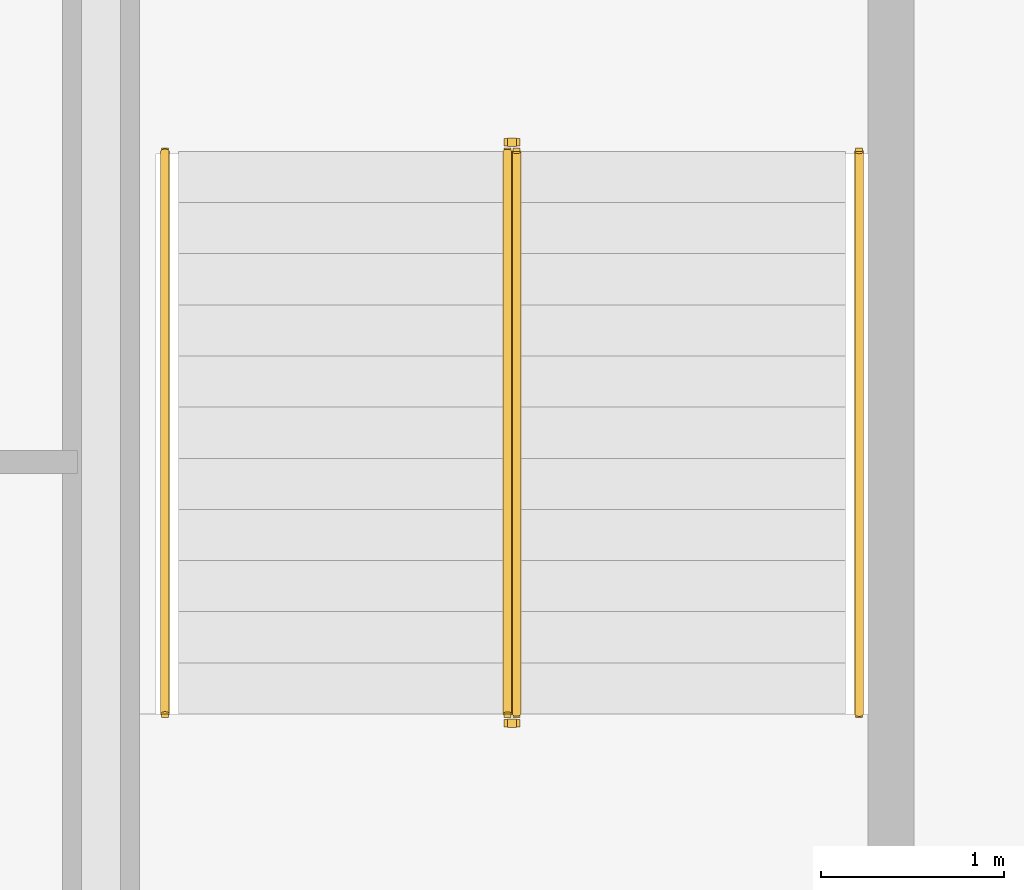
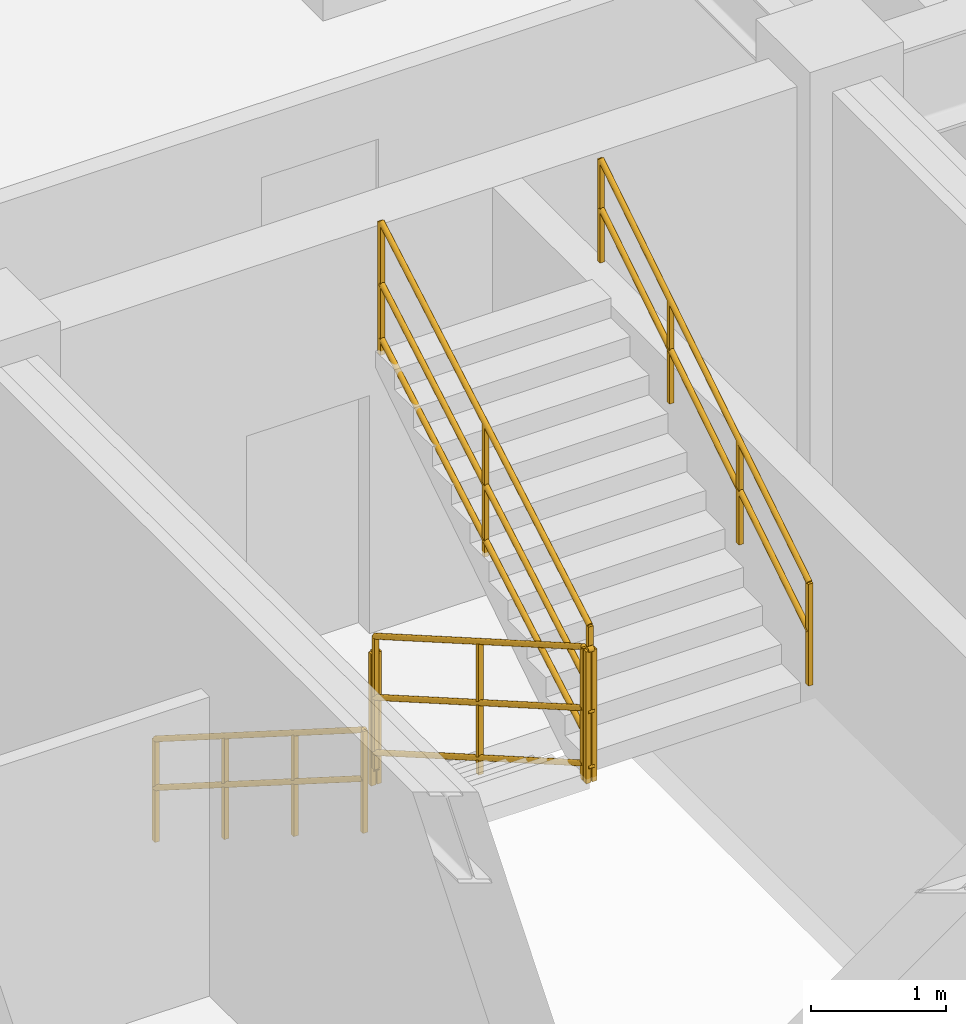
# One storey, part 9 of 9: 6 railings.
"""IFC4 building model written with IfcOpenShell, lengths in metres."""

import ifcopenshell
import ifcopenshell.guid

model = None  # the IFC model being written
_history = None  # IfcOwnerHistory: only IFC2X3 demands one
_inside = {}  # id of a spatial element -> (the spatial element, [elements in it])
_under = {}  # id of a project, library or spatial element -> (it, [spatial elements below it])
_declared = {}  # id of a project -> (the project, [libraries it declares])
_typed = {}  # id of a type object -> (the type object, [elements of that type])
_made_of = {}  # id of a material, layer set ... -> (it, [elements and type objects made of it])


def new_model(schema):
    """Start an empty IFC model of exactly this schema.

    Asked for "IFC4X3", IfcOpenShell would pick the latest addendum, in which some entities
    have other attributes; the version numbers below select the first issue.
    IFC2X3 requires an IfcOwnerHistory on every rooted entity: one is made here for all.
    """
    global model, _history
    if schema == "IFC4X3":
        model = ifcopenshell.file(schema_version=(4, 3, 0, 0))
    else:
        model = ifcopenshell.file(schema=schema)
    _inside.clear()
    _under.clear()
    _declared.clear()
    _typed.clear()
    _made_of.clear()
    _history = None
    if model.schema == "IFC2X3":
        org = make("IfcOrganization", Name="unknown")
        user = make(
            "IfcPersonAndOrganization",
            ThePerson=make("IfcPerson", FamilyName="unknown"),
            TheOrganization=org,
        )
        app = make(
            "IfcApplication",
            ApplicationDeveloper=org,
            Version="unknown",
            ApplicationFullName="unknown",
            ApplicationIdentifier="unknown",
        )
        _history = make(
            "IfcOwnerHistory",
            OwningUser=user,
            OwningApplication=app,
            ChangeAction="ADDED",
            CreationDate=0,
        )
    return model


def make(cls, **values):
    """One entity of the class cls with the attributes given. An attribute that is None is left unset."""
    return model.create_entity(
        cls, **{name: value for name, value in values.items() if value is not None}
    )


def entity(cls, *values):
    """Any entity or typed value of the class cls, its attributes in the order of the schema. None: left unset."""
    e = model.create_entity(cls)
    for i, value in enumerate(values):
        if value is not None:
            e[i] = value
    return e


def rooted(cls, **values):
    """An entity with a GlobalId (a new one), such as an element, a storey or a relation."""
    return make(cls, GlobalId=ifcopenshell.guid.new(), OwnerHistory=_history, **values)


def si_unit(unit_type, name, prefix=None):
    """IfcSIUnit, for example si_unit("LENGTHUNIT", "METRE", prefix="MILLI")."""
    return make("IfcSIUnit", UnitType=unit_type, Prefix=prefix, Name=name)


def converted_unit(unit_type, name, factor, base, dimensions=None, offset=None):
    """IfcConversionBasedUnit, such as the inch: factor (a typed value) times the base unit."""
    return make(
        "IfcConversionBasedUnit"
        if offset is None
        else "IfcConversionBasedUnitWithOffset",
        ConversionOffset=offset,
        Dimensions=None
        if dimensions is None
        else entity("IfcDimensionalExponents", *dimensions),
        UnitType=unit_type,
        Name=name,
        ConversionFactor=make(
            "IfcMeasureWithUnit", ValueComponent=factor, UnitComponent=base
        ),
    )


def assignment(units):
    """IfcUnitAssignment: the units of a project."""
    return None if units is None else make("IfcUnitAssignment", Units=units)


def point(xyz):
    """IfcCartesianPoint."""
    return None if xyz is None else make("IfcCartesianPoint", Coordinates=xyz)


def direction(xyz):
    """IfcDirection."""
    return None if xyz is None else make("IfcDirection", DirectionRatios=xyz)


def frame(location, z_axis=None, x_axis=None):
    """IfcAxis2Placement3D, a coordinate frame: its origin and axes. An axis left out is left unset."""
    return make(
        "IfcAxis2Placement3D",
        Location=point(location),
        Axis=direction(z_axis),
        RefDirection=direction(x_axis),
    )


def frame_2d(location, x_axis=None):
    """IfcAxis2Placement2D, a coordinate frame in the plane: its origin and x axis."""
    return make(
        "IfcAxis2Placement2D", Location=point(location), RefDirection=direction(x_axis)
    )


def origin_with_axes():
    """The frame at (0, 0, 0) with the z axis (0, 0, 1) and the x axis (1, 0, 0) written out."""
    return frame((0.0, 0.0, 0.0), z_axis=(0.0, 0.0, 1.0), x_axis=(1.0, 0.0, 0.0))


def origin_2d_with_axis():
    """The frame at (0, 0) in the plane with the x axis (1, 0) written out."""
    return frame_2d((0.0, 0.0), x_axis=(1.0, 0.0))


def place(relative_to, where):
    """IfcLocalPlacement: puts the frame where relative to a parent placement (None: the world)."""
    return make(
        "IfcLocalPlacement", PlacementRelTo=relative_to, RelativePlacement=where
    )


def context(
    kind, dimensions, precision=None, world=None, true_north=None, identifier=None
):
    """IfcGeometricRepresentationContext, for example the 3D "Model" context."""
    return make(
        "IfcGeometricRepresentationContext",
        ContextIdentifier=identifier,
        ContextType=kind,
        CoordinateSpaceDimension=dimensions,
        Precision=precision,
        WorldCoordinateSystem=world,
        TrueNorth=true_north,
    )


def subcontext(parent, identifier, kind, view, scale=None):
    """IfcGeometricRepresentationSubContext, for example "Body" below "Model"."""
    return make(
        "IfcGeometricRepresentationSubContext",
        ContextIdentifier=identifier,
        ContextType=kind,
        ParentContext=parent,
        TargetScale=scale,
        TargetView=view,
    )


def project(units=None, contexts=None):
    """IfcProject with its units and contexts."""
    return rooted(
        "IfcProject",
        Name="project",
        RepresentationContexts=contexts,
        UnitsInContext=assignment(units),
    )


def spatial(cls, under=None, at=None, **own):
    """A site, building, storey or space (cls), placed at a placement, below another one or the project."""
    s = rooted(cls, ObjectPlacement=at, **own)
    if under is not None:
        _under.setdefault(under.id(), (under, []))[1].append(s)
    return s


def profile(cls, at=None, kind="AREA", **sizes):
    """A parametric profile (cls). Its sizes go by their IFC names, for example OverallWidth=200.0."""
    return make(cls, ProfileType=kind, Position=at, **sizes)


def rectangle(**sizes):
    """IfcRectangleProfileDef."""
    return profile("IfcRectangleProfileDef", **sizes)


def circle(**sizes):
    """IfcCircleProfileDef."""
    return profile("IfcCircleProfileDef", **sizes)


def extrude(swept, where, along, depth):
    """IfcExtrudedAreaSolid: the profile swept, set in the frame where, extruded along a direction by depth."""
    return make(
        "IfcExtrudedAreaSolid",
        SweptArea=swept,
        Position=where,
        ExtrudedDirection=direction(along),
        Depth=depth,
    )


def shape(context_of_items, identifier, shape_type, items):
    """IfcShapeRepresentation: the items that make up one representation, for example the "Body"."""
    return make(
        "IfcShapeRepresentation",
        ContextOfItems=context_of_items,
        RepresentationIdentifier=identifier,
        RepresentationType=shape_type,
        Items=items,
    )


def material(Name=None, Category=None):
    """IfcMaterial."""
    return make("IfcMaterial", Name=Name, Category=Category)


def made_of(thing, what):
    """Note that an element or type object is made of a material, layer set ...; save() writes the relation."""
    if what is not None:
        _made_of.setdefault(what.id(), (what, []))[1].append(thing)
    return thing


def type_object(cls, material=None, **own):
    """A type object (cls), such as IfcWallType, which elements share."""
    return made_of(rooted(cls, **own), material)


def element(
    cls,
    number,
    at=None,
    inside=None,
    cuts=None,
    type_object=None,
    material=None,
    context=None,
    identifier="Body",
    shape_type=None,
    held_by="IfcProductDefinitionShape",
    body=None,
    shapes=None,
    **own,
):
    """One element of the class cls, such as IfcWall. Its Tag is "e" and its number.

    at: its placement. inside: the storey or other place that contains it. cuts: it is an
    opening in that element (IfcRelVoidsElement). A single representation is given by context,
    identifier, shape_type and body (its items); several are given by shapes. held_by: the class
    of the entity that holds the representations. save() writes the other relations.
    """
    e = rooted(cls, Tag="e%d" % number, ObjectPlacement=at, **own)
    if body is not None:
        shapes = [shape(context, identifier, shape_type, body)]
    if shapes is not None:
        e.Representation = make(held_by, Representations=shapes)
    if inside is not None:
        _inside.setdefault(inside.id(), (inside, []))[1].append(e)
    if cuts is not None:
        rooted(
            "IfcRelVoidsElement", RelatingBuildingElement=cuts, RelatedOpeningElement=e
        )
    if type_object is not None:
        _typed.setdefault(type_object.id(), (type_object, []))[1].append(e)
    return made_of(e, material)


def aggregate(whole, parts):
    """IfcRelAggregates: a whole, such as a stair, and the parts it consists of."""
    return rooted("IfcRelAggregates", RelatingObject=whole, RelatedObjects=parts)


def save(model, path):
    """Write the relations noted so far, then the file.

    IfcRelAggregates (storeys below a building ...), IfcRelContainedInSpatialStructure (elements
    in a storey), IfcRelDefinesByType, IfcRelAssociatesMaterial and IfcRelDeclares: one each for
    every whole, place, type object, material and project.
    """
    for whole, parts in _under.values():
        aggregate(whole, parts)
    for where, things in _inside.values():
        rooted(
            "IfcRelContainedInSpatialStructure",
            RelatedElements=things,
            RelatingStructure=where,
        )
    for kind, things in _typed.values():
        rooted("IfcRelDefinesByType", RelatedObjects=things, RelatingType=kind)
    for what, things in _made_of.values():
        rooted("IfcRelAssociatesMaterial", RelatedObjects=things, RelatingMaterial=what)
    for by, libraries in _declared.values():
        rooted("IfcRelDeclares", RelatingContext=by, RelatedDefinitions=libraries)
    model.write(path)


model = new_model("IFC4")

# Units and contexts
model_context = context("Model", 3, precision=1e-05, world=origin_with_axes(), true_north=direction((0.0, 1.0)))
body_context = subcontext(model_context, "Body", "Model", "MODEL_VIEW")
ifc_project = project(units=[si_unit("LENGTHUNIT", "METRE"), si_unit("AREAUNIT", "SQUARE_METRE"), si_unit("VOLUMEUNIT", "CUBIC_METRE"), converted_unit("PLANEANGLEUNIT", "DEGREE", entity("IfcPlaneAngleMeasure", 0.017453292519943295), si_unit("PLANEANGLEUNIT", "RADIAN"), dimensions=[0, 0, 0, 0, 0, 0, 0]), si_unit("MASSUNIT", "GRAM", prefix="KILO"), si_unit("THERMODYNAMICTEMPERATUREUNIT", "KELVIN")], contexts=[model_context])

# Site, building, storey
site_placement = place(None, origin_with_axes())
site = spatial("IfcSite", under=ifc_project, at=site_placement, CompositionType="ELEMENT")
building_placement = place(site_placement, origin_with_axes())
building = spatial("IfcBuilding", under=site, at=building_placement, Name="Varnlund Millrace Tower", CompositionType="ELEMENT")
storey_placement = place(building_placement, frame((0.0, 0.0, 260.7), z_axis=(0.0, 0.0, 1.0), x_axis=(1.0, 0.0, 0.0)))
storey = spatial("IfcBuildingStorey", under=building, at=storey_placement, Name="L64", CompositionType="ELEMENT", Elevation=260.7)

# Railings
ifc_material_1 = material(Name="Painted steel stair well balustrade guard", Category="steel")
railing_type_1 = type_object("IfcRailingType", Name="Type-StairGuard-1150", PredefinedType="GUARDRAIL", material=ifc_material_1)
railing_1_placement = place(storey_placement, frame((0.0, 0.0, -260.7), z_axis=(0.0, 0.0, 1.0), x_axis=(1.0, 0.0, 0.0)))
element("IfcRailing", 1, at=railing_1_placement, inside=storey, type_object=railing_type_1, Name="Type-StairGuard-1150", PredefinedType="GUARDRAIL", context=body_context, shape_type="SweptSolid", body=[
    extrude(circle(Radius=0.024, at=origin_2d_with_axis()), frame((13.625, 35.9, 262.027273), z_axis=(0.0, -0.866696, 0.498836), x_axis=(1.0, 0.0, 0.0)), (0.0, 0.0, 1.0), 3.553725),
    extrude(circle(Radius=0.024, at=origin_2d_with_axis()), frame((13.625, 35.9, 260.977273), z_axis=(0.0, -0.866696, 0.498836), x_axis=(1.0, 0.0, 0.0)), (0.0, 0.0, 1.0), 3.553725),
    extrude(circle(Radius=0.024, at=origin_2d_with_axis()), frame((13.625, 35.9, 261.475273), z_axis=(0.0, -0.866696, 0.498836), x_axis=(1.0, 0.0, 0.0)), (0.0, 0.0, 1.0), 3.553725),
    extrude(rectangle(XDim=0.04, YDim=0.04, at=origin_2d_with_axis()), frame((13.625, 35.9, 260.837273), z_axis=(0.0, 0.0, 1.0), x_axis=(1.0, 0.0, 0.0)), (0.0, 0.0, 1.0), 1.19),
    extrude(rectangle(XDim=0.04, YDim=0.04, at=origin_2d_with_axis()), frame((13.625, 34.36, 261.723636), z_axis=(0.0, 0.0, 1.0), x_axis=(1.0, 0.0, 0.0)), (0.0, 0.0, 1.0), 1.19),
    extrude(rectangle(XDim=0.04, YDim=0.04, at=origin_2d_with_axis()), frame((13.625, 32.82, 262.61), z_axis=(0.0, 0.0, 1.0), x_axis=(1.0, 0.0, 0.0)), (0.0, 0.0, 1.0), 1.19),
])
railing_2_placement = place(storey_placement, frame((0.0, 0.0, -260.7), z_axis=(0.0, 0.0, 1.0), x_axis=(1.0, 0.0, 0.0)))
element("IfcRailing", 2, at=railing_2_placement, inside=storey, type_object=railing_type_1, Name="Type-StairGuard-1150", PredefinedType="GUARDRAIL", context=body_context, shape_type="SweptSolid", body=[
    extrude(circle(Radius=0.024, at=origin_2d_with_axis()), frame((13.675, 32.77, 263.8), z_axis=(-1.0, 0.0, 0.0), x_axis=(0.0, -1.0, 0.0)), (0.0, 0.0, 1.0), 0.05),
    extrude(circle(Radius=0.024, at=origin_2d_with_axis()), frame((13.675, 32.77, 262.75), z_axis=(-1.0, 0.0, 0.0), x_axis=(0.0, -1.0, 0.0)), (0.0, 0.0, 1.0), 0.05),
    extrude(circle(Radius=0.024, at=origin_2d_with_axis()), frame((13.675, 32.77, 263.248), z_axis=(-1.0, 0.0, 0.0), x_axis=(0.0, -1.0, 0.0)), (0.0, 0.0, 1.0), 0.05),
    extrude(rectangle(XDim=0.04, YDim=0.04, at=origin_2d_with_axis()), frame((13.675, 32.77, 262.61), z_axis=(0.0, 0.0, 1.0), x_axis=(1.0, 0.0, 0.0)), (0.0, 0.0, 1.0), 1.19),
    extrude(rectangle(XDim=0.04, YDim=0.04, at=origin_2d_with_axis()), frame((13.625, 32.77, 262.61), z_axis=(0.0, 0.0, 1.0), x_axis=(1.0, 0.0, 0.0)), (0.0, 0.0, 1.0), 1.19),
])
railing_3_placement = place(storey_placement, frame((0.0, 0.0, -260.7), z_axis=(0.0, 0.0, 1.0), x_axis=(1.0, 0.0, 0.0)))
element("IfcRailing", 3, at=railing_3_placement, inside=storey, type_object=railing_type_1, Name="Type-StairGuard-1150", PredefinedType="GUARDRAIL", context=body_context, shape_type="SweptSolid", body=[
    extrude(circle(Radius=0.024, at=origin_2d_with_axis()), frame((13.675, 32.82, 263.977273), z_axis=(0.0, 0.866696, 0.498836), x_axis=(-1.0, 0.0, 0.0)), (0.0, 0.0, 1.0), 3.553725),
    extrude(circle(Radius=0.024, at=origin_2d_with_axis()), frame((13.675, 32.82, 262.927273), z_axis=(0.0, 0.866696, 0.498836), x_axis=(-1.0, 0.0, 0.0)), (0.0, 0.0, 1.0), 3.553725),
    extrude(circle(Radius=0.024, at=origin_2d_with_axis()), frame((13.675, 32.82, 263.425273), z_axis=(0.0, 0.866696, 0.498836), x_axis=(-1.0, 0.0, 0.0)), (0.0, 0.0, 1.0), 3.553725),
    extrude(rectangle(XDim=0.04, YDim=0.04, at=origin_2d_with_axis()), frame((13.675, 32.82, 262.787273), z_axis=(0.0, 0.0, 1.0), x_axis=(1.0, 0.0, 0.0)), (0.0, 0.0, 1.0), 1.19),
    extrude(rectangle(XDim=0.04, YDim=0.04, at=origin_2d_with_axis()), frame((13.675, 34.36, 263.673636), z_axis=(0.0, 0.0, 1.0), x_axis=(1.0, 0.0, 0.0)), (0.0, 0.0, 1.0), 1.19),
    extrude(rectangle(XDim=0.04, YDim=0.04, at=origin_2d_with_axis()), frame((13.675, 35.9, 264.56), z_axis=(0.0, 0.0, 1.0), x_axis=(1.0, 0.0, 0.0)), (0.0, 0.0, 1.0), 1.19),
])
railing_4_placement = place(storey_placement, frame((0.0, 0.0, -260.7), z_axis=(0.0, 0.0, 1.0), x_axis=(1.0, 0.0, 0.0)))
element("IfcRailing", 4, at=railing_4_placement, inside=storey, type_object=railing_type_1, Name="Type-StairGuard-1150", PredefinedType="GUARDRAIL", context=body_context, shape_type="SweptSolid", body=[
    extrude(circle(Radius=0.024, at=origin_2d_with_axis()), frame((13.675, 35.95, 261.85), z_axis=(-1.0, 0.0, 0.0), x_axis=(0.0, -1.0, 0.0)), (0.0, 0.0, 1.0), 0.05),
    extrude(circle(Radius=0.024, at=origin_2d_with_axis()), frame((13.675, 35.95, 260.8), z_axis=(-1.0, 0.0, 0.0), x_axis=(0.0, -1.0, 0.0)), (0.0, 0.0, 1.0), 0.05),
    extrude(circle(Radius=0.024, at=origin_2d_with_axis()), frame((13.675, 35.95, 261.298), z_axis=(-1.0, 0.0, 0.0), x_axis=(0.0, -1.0, 0.0)), (0.0, 0.0, 1.0), 0.05),
    extrude(rectangle(XDim=0.04, YDim=0.04, at=origin_2d_with_axis()), frame((13.675, 35.95, 260.66), z_axis=(0.0, 0.0, 1.0), x_axis=(1.0, 0.0, 0.0)), (0.0, 0.0, 1.0), 1.19),
    extrude(rectangle(XDim=0.04, YDim=0.04, at=origin_2d_with_axis()), frame((13.625, 35.95, 260.66), z_axis=(0.0, 0.0, 1.0), x_axis=(1.0, 0.0, 0.0)), (0.0, 0.0, 1.0), 1.19),
])
ifc_material_2 = material(Name="Brushed architectural bronze stair handrail", Category="aluminium")
railing_type_2 = type_object("IfcRailingType", Name="Type-StairHandrail-900", PredefinedType="HANDRAIL", material=ifc_material_2)
railing_5_placement = place(storey_placement, frame((0.0, 0.0, -260.7), z_axis=(0.0, 0.0, 1.0), x_axis=(1.0, 0.0, 0.0)))
element("IfcRailing", 5, at=railing_5_placement, inside=storey, type_object=railing_type_2, Name="Type-StairHandrail-900", PredefinedType="HANDRAIL", context=body_context, shape_type="SweptSolid", body=[
    extrude(circle(Radius=0.024, at=origin_2d_with_axis()), frame((11.75, 35.9, 261.756995), z_axis=(0.0, -0.844902, 0.534922), x_axis=(1.0, 0.0, 0.0)), (0.0, 0.0, 1.0), 3.645394),
    extrude(circle(Radius=0.024, at=origin_2d_with_axis()), frame((11.75, 35.9, 261.317134), z_axis=(0.0, -0.844902, 0.534922), x_axis=(1.0, 0.0, 0.0)), (0.0, 0.0, 1.0), 3.645394),
    extrude(rectangle(XDim=0.04, YDim=0.04, at=origin_2d_with_axis()), frame((11.75, 35.9, 260.837273), z_axis=(0.0, 0.0, 1.0), x_axis=(1.0, 0.0, 0.0)), (0.0, 0.0, 1.0), 0.919722),
    extrude(rectangle(XDim=0.04, YDim=0.04, at=origin_2d_with_axis()), frame((11.75, 34.873333, 261.487273), z_axis=(0.0, 0.0, 1.0), x_axis=(1.0, 0.0, 0.0)), (0.0, 0.0, 1.0), 0.919722),
    extrude(rectangle(XDim=0.04, YDim=0.04, at=origin_2d_with_axis()), frame((11.75, 33.846667, 262.137273), z_axis=(0.0, 0.0, 1.0), x_axis=(1.0, 0.0, 0.0)), (0.0, 0.0, 1.0), 0.919722),
    extrude(rectangle(XDim=0.04, YDim=0.04, at=origin_2d_with_axis()), frame((11.75, 32.82, 262.787273), z_axis=(0.0, 0.0, 1.0), x_axis=(1.0, 0.0, 0.0)), (0.0, 0.0, 1.0), 0.919722),
])
railing_6_placement = place(storey_placement, frame((0.0, 0.0, -260.7), z_axis=(0.0, 0.0, 1.0), x_axis=(1.0, 0.0, 0.0)))
element("IfcRailing", 6, at=railing_6_placement, inside=storey, type_object=railing_type_2, Name="Type-StairHandrail-900", PredefinedType="HANDRAIL", context=body_context, shape_type="SweptSolid", body=[
    extrude(circle(Radius=0.024, at=origin_2d_with_axis()), frame((15.55, 32.82, 263.706995), z_axis=(0.0, 0.844902, 0.534922), x_axis=(-1.0, 0.0, 0.0)), (0.0, 0.0, 1.0), 3.645394),
    extrude(circle(Radius=0.024, at=origin_2d_with_axis()), frame((15.55, 32.82, 263.267134), z_axis=(0.0, 0.844902, 0.534922), x_axis=(-1.0, 0.0, 0.0)), (0.0, 0.0, 1.0), 3.645394),
    extrude(rectangle(XDim=0.04, YDim=0.04, at=origin_2d_with_axis()), frame((15.55, 32.82, 262.787273), z_axis=(0.0, 0.0, 1.0), x_axis=(1.0, 0.0, 0.0)), (0.0, 0.0, 1.0), 0.919722),
    extrude(rectangle(XDim=0.04, YDim=0.04, at=origin_2d_with_axis()), frame((15.55, 33.846667, 263.437273), z_axis=(0.0, 0.0, 1.0), x_axis=(1.0, 0.0, 0.0)), (0.0, 0.0, 1.0), 0.919722),
    extrude(rectangle(XDim=0.04, YDim=0.04, at=origin_2d_with_axis()), frame((15.55, 34.873333, 264.087273), z_axis=(0.0, 0.0, 1.0), x_axis=(1.0, 0.0, 0.0)), (0.0, 0.0, 1.0), 0.919722),
    extrude(rectangle(XDim=0.04, YDim=0.04, at=origin_2d_with_axis()), frame((15.55, 35.9, 264.737273), z_axis=(0.0, 0.0, 1.0), x_axis=(1.0, 0.0, 0.0)), (0.0, 0.0, 1.0), 0.919722),
])

save(model, "model.ifc")
